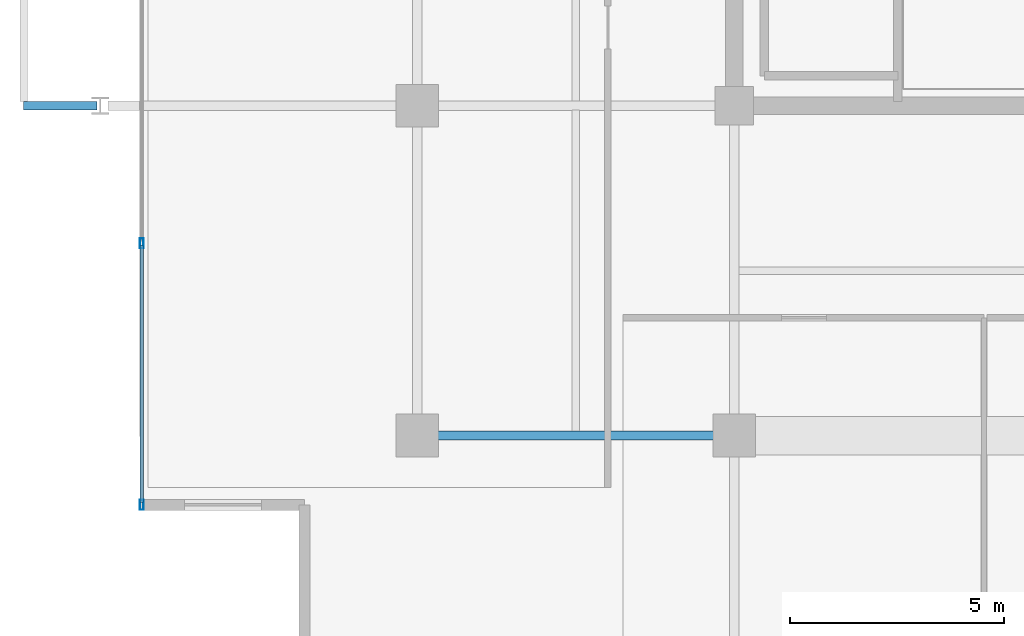
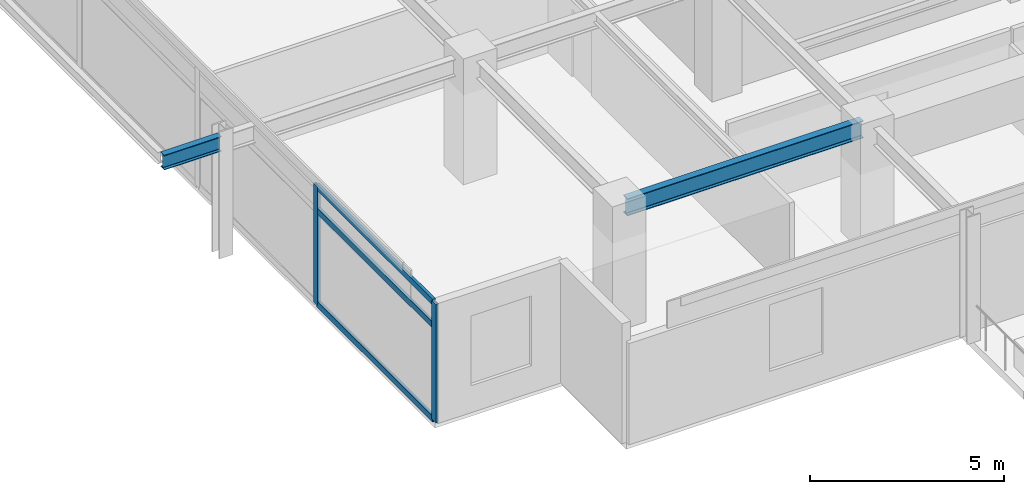
# One storey, part 2 of 21: 5 members, 2 beams, 1 element without a shape of its own.
"""IFC4 building model written with IfcOpenShell, lengths in metres."""

from ifc_helpers import new_model, si_unit, direction, frame, origin, origin_2d, place, context, subcontext, project, spatial, hollow_rectangle, i_section, extrude, material, material_profile, profile_set, type_object, element, aggregate, save


model = new_model("IFC4")

# Units and contexts
model_context = context("Model", 3, precision=1e-05, world=origin(), true_north=direction((0.0, 1.0)))
body_context = subcontext(model_context, "Body", "Model", "MODEL_VIEW")
ifc_project = project(units=[si_unit("LENGTHUNIT", "METRE"), si_unit("AREAUNIT", "SQUARE_METRE"), si_unit("VOLUMEUNIT", "CUBIC_METRE"), si_unit("PLANEANGLEUNIT", "RADIAN"), si_unit("MASSUNIT", "GRAM", prefix="KILO")], contexts=[model_context])

# Site, building, storey
site_placement = place(None, origin())
site = spatial("IfcSite", under=ifc_project, at=site_placement, CompositionType="ELEMENT")
building_placement = place(site_placement, origin())
building = spatial("IfcBuilding", under=site, at=building_placement, Name="Kovane Verandah Tower", CompositionType="ELEMENT")
storey_placement = place(building_placement, frame((0.0, 0.0, 326.800048828125)))
storey = spatial("IfcBuildingStorey", under=building, at=storey_placement, Name="L76", CompositionType="ELEMENT", Elevation=326.800048828125)

# Beam
ifc_material_1 = material(Name="Steel S355", Category="steel")
ifc_material_profile_1 = material_profile(ifc_material_1, i_section(OverallWidth=0.2119140625, OverallDepth=0.54443359375, WebThickness=0.0126953125, FlangeThickness=0.021240234375, FilletRadius=0.0126953125, at=origin_2d()), Name="UB533x210x122")
ifc_profile_set_1 = profile_set([ifc_material_profile_1], Name="Steel S355")
beam_type_1 = type_object("IfcBeamType", Name="BM-UB533x122", PredefinedType="BEAM", material=ifc_profile_set_1)
beam_1_placement = place(storey_placement, frame((21.780029296875, 10.800048828125, 3.5126953125), z_axis=(1.0, 0.0, 0.0), x_axis=(0.0, 1.0, 0.0)))
element("IfcBeam", 1, at=beam_1_placement, inside=storey, type_object=beam_type_1, Name="L76 Primary Tower Girder G-RS1", PredefinedType="BEAM", context=body_context, shape_type="SweptSolid", body=[
    extrude(i_section(OverallWidth=0.2119140625, OverallDepth=0.54443359375, WebThickness=0.0126953125, FlangeThickness=0.021240234375, FilletRadius=0.0126953125, at=origin_2d()), origin(), (0.0, 0.0, 1.0), 7.0400390625),
])

# Curtain wall, members
ifc_material_2 = material(Name="Champagne Anodised Aluminium Frame with Low-E Clear Laminated Glass", Category="aluminium")
curtain_wall_type = type_object("IfcCurtainWallType", Name="CW-SYS-05-HIGH", PredefinedType="NOTDEFINED", material=ifc_material_2)
curtain_wall_placement = place(storey_placement, origin())
curtain_wall = element("IfcCurtainWall", 2, at=curtain_wall_placement, inside=storey, type_object=curtain_wall_type, Name="L76 W Unitised Curtain Wall", PredefinedType="NOTDEFINED")
ifc_material_3 = material(Name="Champagne Anodised Aluminium 6063-T6", Category="aluminium")
ifc_material_profile_2 = material_profile(ifc_material_3, hollow_rectangle(XDim=0.0849609375, YDim=0.22998046875, WallThickness=0.00390625, at=origin_2d()), Name="AL85x230x4")
ifc_profile_set_2 = profile_set([ifc_material_profile_2], Name="Champagne Anodised Aluminium 6063-T6")
member_type_1 = type_object("IfcMemberType", Name="CW-MUL-85x230", PredefinedType="MULLION", material=ifc_profile_set_2)
member_1_placement = place(storey_placement, frame((15.16845703125, 15.28955078125, 0.02001953125), z_axis=(0.0, 0.0, 1.0), x_axis=(-1.0, 0.0, 0.0)))
member_1 = element("IfcMember", 3, at=member_1_placement, type_object=member_type_1, Name="L76 W Unitised Curtain Wall Mullion 6", PredefinedType="MULLION", context=body_context, shape_type="SweptSolid", body=[
    extrude(hollow_rectangle(XDim=0.0849609375, YDim=0.22998046875, WallThickness=0.00390625, at=origin_2d()), origin(), (0.0, 0.0, 1.0), 3.744873046875),
])
member_2_placement = place(storey_placement, frame((15.16845703125, 9.184326171875, 0.02001953125), z_axis=(0.0, 0.0, 1.0), x_axis=(-1.0, 0.0, 0.0)))
member_2 = element("IfcMember", 4, at=member_2_placement, type_object=member_type_1, Name="L76 W Unitised Curtain Wall Mullion 7", PredefinedType="MULLION", context=body_context, shape_type="SweptSolid", body=[
    extrude(hollow_rectangle(XDim=0.0849609375, YDim=0.22998046875, WallThickness=0.00390625, at=origin_2d()), origin(), (0.0, 0.0, 1.0), 3.744873046875),
])
ifc_material_profile_3 = material_profile(ifc_material_3, hollow_rectangle(XDim=0.0849609375, YDim=0.18994140625, WallThickness=0.00390625, at=origin_2d()), Name="AL85x190x4")
ifc_profile_set_3 = profile_set([ifc_material_profile_3], Name="Champagne Anodised Aluminium 6063-T6")
member_type_2 = type_object("IfcMemberType", Name="CW-TRN-85x190", PredefinedType="USERDEFINED", material=ifc_profile_set_3)
member_3_placement = place(storey_placement, frame((15.16845703125, 15.239501953125, 0.050048828125), z_axis=(0.0, -1.0, 0.0), x_axis=(1.0, 0.0, 0.0)))
member_3 = element("IfcMember", 5, at=member_3_placement, type_object=member_type_2, Name="L76 W Unitised Curtain Wall Transom TB Bay 6", ObjectType="TRANSOM", PredefinedType="USERDEFINED", context=body_context, shape_type="SweptSolid", body=[
    extrude(hollow_rectangle(XDim=0.0849609375, YDim=0.18994140625, WallThickness=0.00390625, at=origin_2d()), origin(), (0.0, 0.0, 1.0), 6.005126953125),
])
member_4_placement = place(storey_placement, frame((15.16845703125, 15.239501953125, 3.0048828125), z_axis=(0.0, -1.0, 0.0), x_axis=(1.0, 0.0, 0.0)))
member_4 = element("IfcMember", 6, at=member_4_placement, type_object=member_type_2, Name="L76 W Unitised Curtain Wall Transom TM Bay 6", ObjectType="TRANSOM", PredefinedType="USERDEFINED", context=body_context, shape_type="SweptSolid", body=[
    extrude(hollow_rectangle(XDim=0.0849609375, YDim=0.18994140625, WallThickness=0.00390625, at=origin_2d()), origin(), (0.0, 0.0, 1.0), 6.005126953125),
])
member_5_placement = place(storey_placement, frame((15.16845703125, 15.239501953125, 3.73486328125), z_axis=(0.0, -1.0, 0.0), x_axis=(1.0, 0.0, 0.0)))
member_5 = element("IfcMember", 7, at=member_5_placement, type_object=member_type_2, Name="L76 W Unitised Curtain Wall Transom TT Bay 6", ObjectType="TRANSOM", PredefinedType="USERDEFINED", context=body_context, shape_type="SweptSolid", body=[
    extrude(hollow_rectangle(XDim=0.0849609375, YDim=0.18994140625, WallThickness=0.00390625, at=origin_2d()), origin(), (0.0, 0.0, 1.0), 6.005126953125),
])
aggregate(curtain_wall, [member_1, member_2, member_3, member_4, member_5])

# Beam
ifc_material_profile_4 = material_profile(ifc_material_1, i_section(OverallWidth=0.19287109375, OverallDepth=0.46728515625, WebThickness=0.011474609375, FlangeThickness=0.01953125, FilletRadius=0.01025390625, at=origin_2d()), Name="UB457x191x98")
ifc_profile_set_4 = profile_set([ifc_material_profile_4], Name="Steel S355")
beam_type_2 = type_object("IfcBeamType", Name="JST-UB457x98", PredefinedType="JOIST", material=ifc_profile_set_4)
beam_2_placement = place(storey_placement, frame((14.1201171875, 18.5, 3.5263671875), z_axis=(-1.0, 0.0, 0.0), x_axis=(0.0, -1.0, 0.0)))
element("IfcBeam", 8, at=beam_2_placement, inside=storey, type_object=beam_type_2, Name="L76 West Planter Girder 1", PredefinedType="JOIST", context=body_context, shape_type="SweptSolid", body=[
    extrude(i_section(OverallWidth=0.19287109375, OverallDepth=0.46728515625, WebThickness=0.011474609375, FlangeThickness=0.01953125, FilletRadius=0.01025390625, at=origin_2d()), origin(), (0.0, 0.0, 1.0), 1.70654296875),
])

save(model, "model.ifc")
